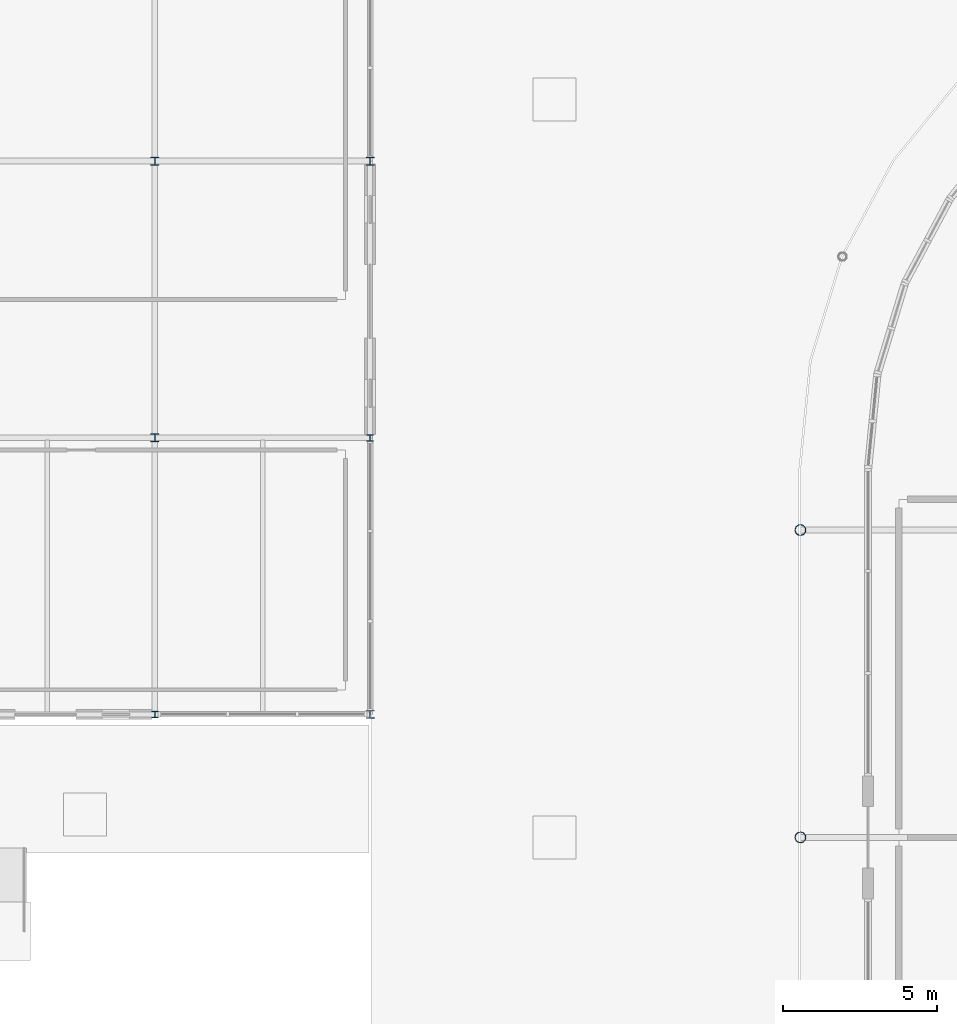
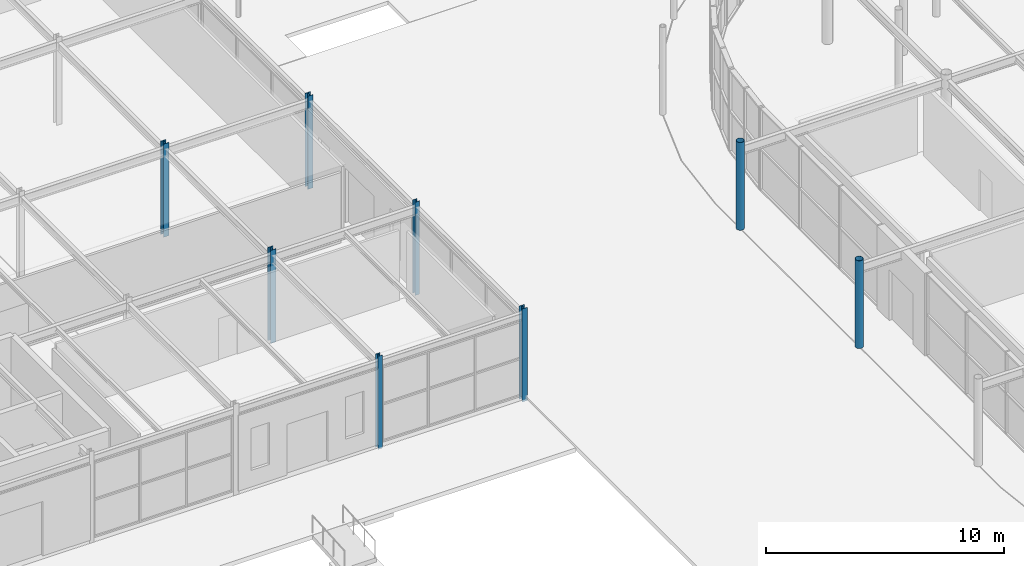
# One storey, part 5 of 119: 8 columns.
"""IFC4 building model written with IfcOpenShell, lengths in metres."""

import ifcopenshell
import ifcopenshell.guid

model = None  # the IFC model being written
_history = None  # IfcOwnerHistory: only IFC2X3 demands one
_inside = {}  # id of a spatial element -> (the spatial element, [elements in it])
_under = {}  # id of a project, library or spatial element -> (it, [spatial elements below it])
_declared = {}  # id of a project -> (the project, [libraries it declares])
_typed = {}  # id of a type object -> (the type object, [elements of that type])
_made_of = {}  # id of a material, layer set ... -> (it, [elements and type objects made of it])


def new_model(schema):
    """Start an empty IFC model of exactly this schema.

    Asked for "IFC4X3", IfcOpenShell would pick the latest addendum, in which some entities
    have other attributes; the version numbers below select the first issue.
    IFC2X3 requires an IfcOwnerHistory on every rooted entity: one is made here for all.
    """
    global model, _history
    if schema == "IFC4X3":
        model = ifcopenshell.file(schema_version=(4, 3, 0, 0))
    else:
        model = ifcopenshell.file(schema=schema)
    _inside.clear()
    _under.clear()
    _declared.clear()
    _typed.clear()
    _made_of.clear()
    _history = None
    if model.schema == "IFC2X3":
        org = make("IfcOrganization", Name="unknown")
        user = make(
            "IfcPersonAndOrganization",
            ThePerson=make("IfcPerson", FamilyName="unknown"),
            TheOrganization=org,
        )
        app = make(
            "IfcApplication",
            ApplicationDeveloper=org,
            Version="unknown",
            ApplicationFullName="unknown",
            ApplicationIdentifier="unknown",
        )
        _history = make(
            "IfcOwnerHistory",
            OwningUser=user,
            OwningApplication=app,
            ChangeAction="ADDED",
            CreationDate=0,
        )
    return model


def make(cls, **values):
    """One entity of the class cls with the attributes given. An attribute that is None is left unset."""
    return model.create_entity(
        cls, **{name: value for name, value in values.items() if value is not None}
    )


def rooted(cls, **values):
    """An entity with a GlobalId (a new one), such as an element, a storey or a relation."""
    return make(cls, GlobalId=ifcopenshell.guid.new(), OwnerHistory=_history, **values)


def si_unit(unit_type, name, prefix=None):
    """IfcSIUnit, for example si_unit("LENGTHUNIT", "METRE", prefix="MILLI")."""
    return make("IfcSIUnit", UnitType=unit_type, Prefix=prefix, Name=name)


def derived_unit(unit_type, elements):
    """IfcDerivedUnit: a product of units, each with its exponent."""
    return make(
        "IfcDerivedUnit",
        Elements=[
            make("IfcDerivedUnitElement", Unit=unit, Exponent=power)
            for unit, power in elements
        ],
        UnitType=unit_type,
    )


def assignment(units):
    """IfcUnitAssignment: the units of a project."""
    return None if units is None else make("IfcUnitAssignment", Units=units)


def point(xyz):
    """IfcCartesianPoint."""
    return None if xyz is None else make("IfcCartesianPoint", Coordinates=xyz)


def direction(xyz):
    """IfcDirection."""
    return None if xyz is None else make("IfcDirection", DirectionRatios=xyz)


def frame(location, z_axis=None, x_axis=None):
    """IfcAxis2Placement3D, a coordinate frame: its origin and axes. An axis left out is left unset."""
    return make(
        "IfcAxis2Placement3D",
        Location=point(location),
        Axis=direction(z_axis),
        RefDirection=direction(x_axis),
    )


def frame_2d(location, x_axis=None):
    """IfcAxis2Placement2D, a coordinate frame in the plane: its origin and x axis."""
    return make(
        "IfcAxis2Placement2D", Location=point(location), RefDirection=direction(x_axis)
    )


def origin():
    """The frame at (0, 0, 0) with its axes left unset."""
    return frame((0.0, 0.0, 0.0))


def origin_2d_with_axis():
    """The frame at (0, 0) in the plane with the x axis (1, 0) written out."""
    return frame_2d((0.0, 0.0), x_axis=(1.0, 0.0))


def place(relative_to, where):
    """IfcLocalPlacement: puts the frame where relative to a parent placement (None: the world)."""
    return make(
        "IfcLocalPlacement", PlacementRelTo=relative_to, RelativePlacement=where
    )


def context(
    kind, dimensions, precision=None, world=None, true_north=None, identifier=None
):
    """IfcGeometricRepresentationContext, for example the 3D "Model" context."""
    return make(
        "IfcGeometricRepresentationContext",
        ContextIdentifier=identifier,
        ContextType=kind,
        CoordinateSpaceDimension=dimensions,
        Precision=precision,
        WorldCoordinateSystem=world,
        TrueNorth=true_north,
    )


def subcontext(parent, identifier, kind, view, scale=None):
    """IfcGeometricRepresentationSubContext, for example "Body" below "Model"."""
    return make(
        "IfcGeometricRepresentationSubContext",
        ContextIdentifier=identifier,
        ContextType=kind,
        ParentContext=parent,
        TargetScale=scale,
        TargetView=view,
    )


def project(units=None, contexts=None):
    """IfcProject with its units and contexts."""
    return rooted(
        "IfcProject",
        Name="project",
        RepresentationContexts=contexts,
        UnitsInContext=assignment(units),
    )


def spatial(cls, under=None, at=None, **own):
    """A site, building, storey or space (cls), placed at a placement, below another one or the project."""
    s = rooted(cls, ObjectPlacement=at, **own)
    if under is not None:
        _under.setdefault(under.id(), (under, []))[1].append(s)
    return s


def profile(cls, at=None, kind="AREA", **sizes):
    """A parametric profile (cls). Its sizes go by their IFC names, for example OverallWidth=200.0."""
    return make(cls, ProfileType=kind, Position=at, **sizes)


def hollow_circle(**sizes):
    """IfcCircleHollowProfileDef."""
    return profile("IfcCircleHollowProfileDef", **sizes)


def i_section(**sizes):
    """IfcIShapeProfileDef."""
    return profile("IfcIShapeProfileDef", **sizes)


def extrude(swept, where, along, depth):
    """IfcExtrudedAreaSolid: the profile swept, set in the frame where, extruded along a direction by depth."""
    return make(
        "IfcExtrudedAreaSolid",
        SweptArea=swept,
        Position=where,
        ExtrudedDirection=direction(along),
        Depth=depth,
    )


def shape(context_of_items, identifier, shape_type, items):
    """IfcShapeRepresentation: the items that make up one representation, for example the "Body"."""
    return make(
        "IfcShapeRepresentation",
        ContextOfItems=context_of_items,
        RepresentationIdentifier=identifier,
        RepresentationType=shape_type,
        Items=items,
    )


def material(Name=None, Category=None):
    """IfcMaterial."""
    return make("IfcMaterial", Name=Name, Category=Category)


def material_profile(
    of_material, cross_section, Name=None, Category=None, Priority=None
):
    """IfcMaterialProfile: a cross section and its material."""
    return make(
        "IfcMaterialProfile",
        Name=Name,
        Material=of_material,
        Profile=cross_section,
        Priority=Priority,
        Category=Category,
    )


def profile_set(profiles, Name=None, composite=None):
    """IfcMaterialProfileSet."""
    return make(
        "IfcMaterialProfileSet",
        Name=Name,
        MaterialProfiles=profiles,
        CompositeProfile=composite,
    )


def made_of(thing, what):
    """Note that an element or type object is made of a material, layer set ...; save() writes the relation."""
    if what is not None:
        _made_of.setdefault(what.id(), (what, []))[1].append(thing)
    return thing


def type_object(cls, material=None, **own):
    """A type object (cls), such as IfcWallType, which elements share."""
    return made_of(rooted(cls, **own), material)


def element(
    cls,
    number,
    at=None,
    inside=None,
    cuts=None,
    type_object=None,
    material=None,
    context=None,
    identifier="Body",
    shape_type=None,
    held_by="IfcProductDefinitionShape",
    body=None,
    shapes=None,
    **own,
):
    """One element of the class cls, such as IfcWall. Its Tag is "e" and its number.

    at: its placement. inside: the storey or other place that contains it. cuts: it is an
    opening in that element (IfcRelVoidsElement). A single representation is given by context,
    identifier, shape_type and body (its items); several are given by shapes. held_by: the class
    of the entity that holds the representations. save() writes the other relations.
    """
    e = rooted(cls, Tag="e%d" % number, ObjectPlacement=at, **own)
    if body is not None:
        shapes = [shape(context, identifier, shape_type, body)]
    if shapes is not None:
        e.Representation = make(held_by, Representations=shapes)
    if inside is not None:
        _inside.setdefault(inside.id(), (inside, []))[1].append(e)
    if cuts is not None:
        rooted(
            "IfcRelVoidsElement", RelatingBuildingElement=cuts, RelatedOpeningElement=e
        )
    if type_object is not None:
        _typed.setdefault(type_object.id(), (type_object, []))[1].append(e)
    return made_of(e, material)


def aggregate(whole, parts):
    """IfcRelAggregates: a whole, such as a stair, and the parts it consists of."""
    return rooted("IfcRelAggregates", RelatingObject=whole, RelatedObjects=parts)


def save(model, path):
    """Write the relations noted so far, then the file.

    IfcRelAggregates (storeys below a building ...), IfcRelContainedInSpatialStructure (elements
    in a storey), IfcRelDefinesByType, IfcRelAssociatesMaterial and IfcRelDeclares: one each for
    every whole, place, type object, material and project.
    """
    for whole, parts in _under.values():
        aggregate(whole, parts)
    for where, things in _inside.values():
        rooted(
            "IfcRelContainedInSpatialStructure",
            RelatedElements=things,
            RelatingStructure=where,
        )
    for kind, things in _typed.values():
        rooted("IfcRelDefinesByType", RelatedObjects=things, RelatingType=kind)
    for what, things in _made_of.values():
        rooted("IfcRelAssociatesMaterial", RelatedObjects=things, RelatingMaterial=what)
    for by, libraries in _declared.values():
        rooted("IfcRelDeclares", RelatingContext=by, RelatedDefinitions=libraries)
    model.write(path)


model = new_model("IFC4")

# Units and contexts
model_context = context("Model", 3, precision=1e-05, world=origin(), true_north=direction((0.0, 1.0)))
body_context = subcontext(model_context, "Body", "Model", "MODEL_VIEW")
ifc_project = project(units=[si_unit("LENGTHUNIT", "METRE"), si_unit("AREAUNIT", "SQUARE_METRE"), si_unit("VOLUMEUNIT", "CUBIC_METRE"), si_unit("PLANEANGLEUNIT", "RADIAN"), si_unit("MASSUNIT", "GRAM", prefix="KILO"), derived_unit("THERMALTRANSMITTANCEUNIT", [(si_unit("POWERUNIT", "WATT"), 1), (si_unit("LENGTHUNIT", "METRE"), -2), (si_unit("THERMODYNAMICTEMPERATUREUNIT", "KELVIN"), -1)])], contexts=[model_context])

# Site, building, storey
site_placement = place(None, origin())
site = spatial("IfcSite", under=ifc_project, at=site_placement, CompositionType="ELEMENT")
building_placement = place(site_placement, origin())
building = spatial("IfcBuilding", under=site, at=building_placement, Name="Cinnabar Yard Market Hall", CompositionType="ELEMENT")
storey_placement = place(building_placement, origin())
storey = spatial("IfcBuildingStorey", under=building, at=storey_placement, Name="L00", CompositionType="ELEMENT", Elevation=0.0)

# Columns
ifc_material_1 = material(Name="Spotted-gum glulam-clad steel Grade 350 (350 MPa)", Category="steel")
ifc_material_profile_1 = material_profile(ifc_material_1, hollow_circle(Radius=0.177734375, WallThickness=0.0126953125, at=origin_2d_with_axis()), Name="355.6x12.7CHS")
ifc_profile_set_1 = profile_set([ifc_material_profile_1], Name="Spotted-gum glulam-clad steel Grade 350 (350 MPa)")
column_type_1 = type_object("IfcColumnType", Name="COL-C02E", PredefinedType="COLUMN", material=ifc_profile_set_1)
for number, where, z_axis, x_axis, name in (
    (1, (66.0, 44.0, 0.0), (0.0, 0.0, 1.0), (1.0, 0.0, 0.0), "Tree Column V1W-02 L00"),
    (2, (66.0, 54.0, 0.0), (0.0, 0.0, 1.0), (1.0, 0.0, 0.0), "Tree Column V1W-03 L00"),
):
    element("IfcColumn", number, at=place(storey_placement, frame(where, z_axis=z_axis, x_axis=x_axis)), inside=storey, type_object=column_type_1, Name=name, PredefinedType="COLUMN", context=body_context, shape_type="SweptSolid", body=[
        extrude(hollow_circle(Radius=0.177734375, WallThickness=0.0126953125, at=origin_2d_with_axis()), origin(), (0.0, 0.0, 1.0), 4.5),
    ])
ifc_material_2 = material(Name="Steel Grade 300 (300 MPa)", Category="steel")
ifc_material_profile_2 = material_profile(ifc_material_2, i_section(OverallWidth=0.256103515625, OverallDepth=0.260009765625, WebThickness=0.010498046875, FlangeThickness=0.017333984375, FilletRadius=0.013916015625, at=origin_2d_with_axis()), Name="250UC89.5")
ifc_profile_set_2 = profile_set([ifc_material_profile_2], Name="Steel Grade 300 (300 MPa)")
column_type_2 = type_object("IfcColumnType", Name="COL-C10", PredefinedType="COLUMN", material=ifc_profile_set_2)
for number, where, z_axis, x_axis, name in (
    (3, (45.0, 57.0, -0.280029296875), (0.0, 0.0, 1.0), (1.0, 0.0, 0.0), "Pavilion Column V2-06-02 L00"),
    (4, (45.0, 66.0, -0.280029296875), (0.0, 0.0, 1.0), (1.0, 0.0, 0.0), "Pavilion Column V2-06-03 L00"),
):
    element("IfcColumn", number, at=place(storey_placement, frame(where, z_axis=z_axis, x_axis=x_axis)), inside=storey, type_object=column_type_2, Name=name, PredefinedType="COLUMN", context=body_context, shape_type="SweptSolid", body=[
        extrude(i_section(OverallWidth=0.256103515625, OverallDepth=0.260009765625, WebThickness=0.010498046875, FlangeThickness=0.017333984375, FilletRadius=0.013916015625, at=origin_2d_with_axis()), origin(), (0.0, 0.0, 1.0), 4.780029296875),
    ])
ifc_material_profile_3 = material_profile(ifc_material_2, i_section(OverallWidth=0.25390625, OverallDepth=0.25390625, WebThickness=0.008544921875, FlangeThickness=0.01416015625, FilletRadius=0.013916015625, at=origin_2d_with_axis()), Name="250UC72.9")
ifc_profile_set_3 = profile_set([ifc_material_profile_3], Name="Steel Grade 300 (300 MPa)")
column_type_3 = type_object("IfcColumnType", Name="COL-C11E", PredefinedType="COLUMN", material=ifc_profile_set_3)
for number, where, z_axis, x_axis, name in (
    (5, (52.0, 48.0, -0.280029296875), (0.0, 0.0, 1.0), (1.0, 0.0, 0.0), "Pavilion Column V2-07-01 L00"),
    (6, (52.0, 66.0, -0.280029296875), (0.0, 0.0, 1.0), (1.0, 0.0, 0.0), "Pavilion Column V2-07-03 L00"),
):
    element("IfcColumn", number, at=place(storey_placement, frame(where, z_axis=z_axis, x_axis=x_axis)), inside=storey, type_object=column_type_3, Name=name, PredefinedType="COLUMN", context=body_context, shape_type="SweptSolid", body=[
        extrude(i_section(OverallWidth=0.25390625, OverallDepth=0.25390625, WebThickness=0.008544921875, FlangeThickness=0.01416015625, FilletRadius=0.013916015625, at=origin_2d_with_axis()), origin(), (0.0, 0.0, 1.0), 4.780029296875),
    ])
ifc_material_profile_4 = material_profile(ifc_material_2, i_section(OverallWidth=0.205078125, OverallDepth=0.209716796875, WebThickness=0.00927734375, FlangeThickness=0.01416015625, FilletRadius=0.011474609375, at=origin_2d_with_axis()), Name="200UC59.5")
ifc_profile_set_4 = profile_set([ifc_material_profile_4], Name="Steel Grade 300 (300 MPa)")
column_type_4 = type_object("IfcColumnType", Name="COL-C12E", PredefinedType="COLUMN", material=ifc_profile_set_4)
for number, where, z_axis, x_axis, name in (
    (7, (45.0, 48.0, -0.280029296875), (0.0, 0.0, 1.0), (1.0, 0.0, 0.0), "Pavilion Column V2-06-01 L00"),
    (8, (52.0, 57.0, -0.280029296875), (0.0, 0.0, 1.0), (1.0, 0.0, 0.0), "Pavilion Column V2-07-02 L00"),
):
    element("IfcColumn", number, at=place(storey_placement, frame(where, z_axis=z_axis, x_axis=x_axis)), inside=storey, type_object=column_type_4, Name=name, PredefinedType="COLUMN", context=body_context, shape_type="SweptSolid", body=[
        extrude(i_section(OverallWidth=0.205078125, OverallDepth=0.209716796875, WebThickness=0.00927734375, FlangeThickness=0.01416015625, FilletRadius=0.011474609375, at=origin_2d_with_axis()), origin(), (0.0, 0.0, 1.0), 4.780029296875),
    ])

save(model, "model.ifc")
